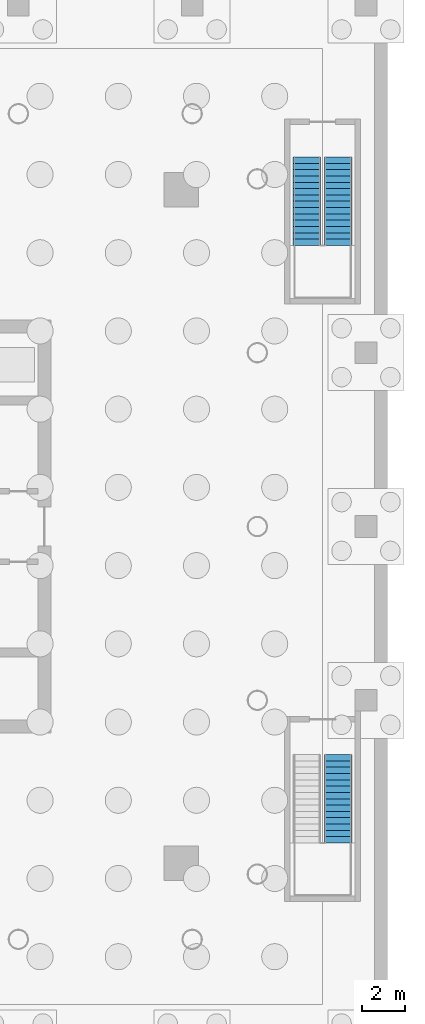
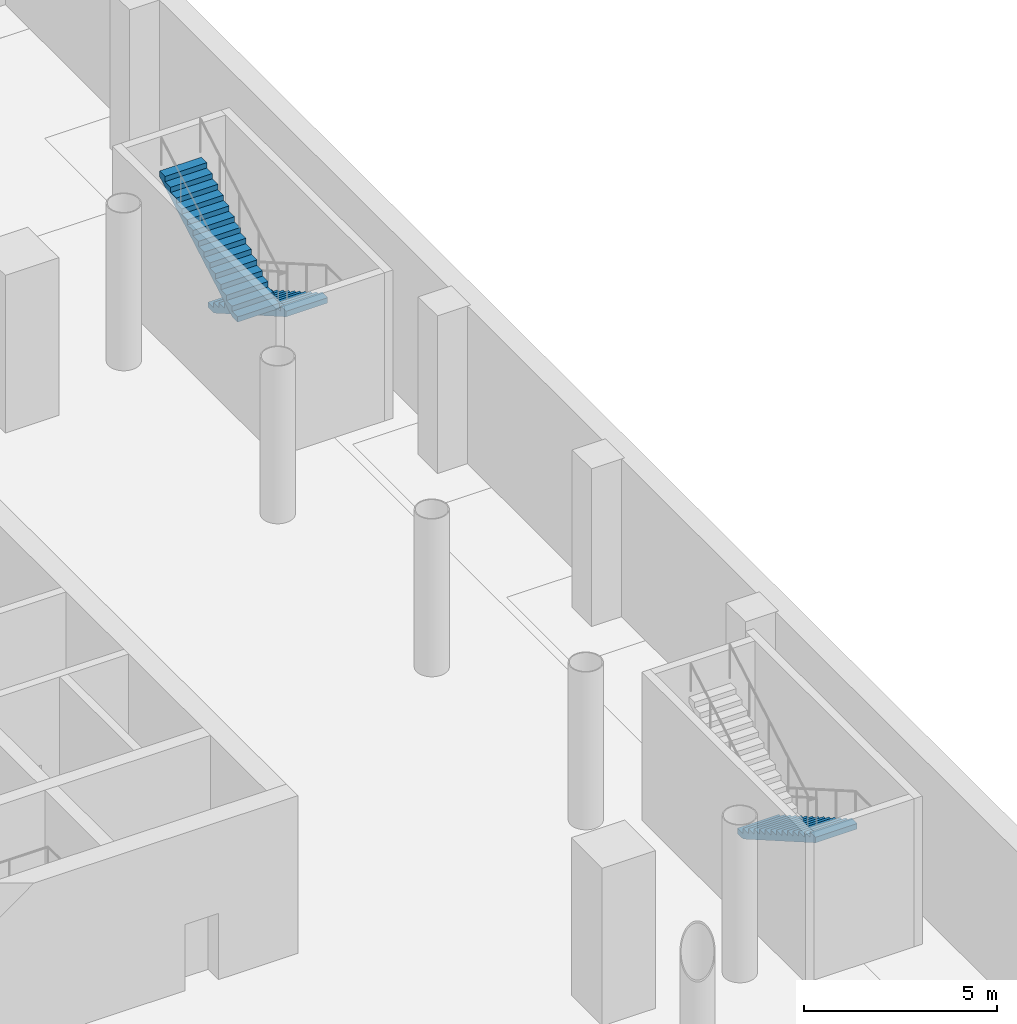
# One storey, part 20 of 24: 3 stair flights, 2 elements without a shape of their own.
"""IFC4 building model written with IfcOpenShell, lengths in metres."""

from ifc_helpers import new_model, si_unit, direction, frame, origin, place, context, subcontext, project, spatial, polyline, outline, extrude, material, type_object, element, aggregate, save


model = new_model("IFC4")

# Units and contexts
model_context = context("Model", 3, precision=1e-05, world=origin(), true_north=direction((0.0, 1.0)))
body_context = subcontext(model_context, "Body", "Model", "MODEL_VIEW")
ifc_project = project(units=[si_unit("LENGTHUNIT", "METRE"), si_unit("AREAUNIT", "SQUARE_METRE"), si_unit("VOLUMEUNIT", "CUBIC_METRE"), si_unit("PLANEANGLEUNIT", "RADIAN"), si_unit("MASSUNIT", "GRAM", prefix="KILO")], contexts=[model_context])

# Site, building, storey
site_placement = place(None, origin())
site = spatial("IfcSite", under=ifc_project, at=site_placement, CompositionType="ELEMENT")
building_placement = place(site_placement, origin())
building = spatial("IfcBuilding", under=site, at=building_placement, Name="Ostroluk Exchange", CompositionType="ELEMENT")
storey_placement = place(building_placement, frame((0.0, 0.0, -10.0)))
storey = spatial("IfcBuildingStorey", under=building, at=storey_placement, Name="B2", CompositionType="ELEMENT", Elevation=-10.0)

# Stair, stair flight
ifc_material_1 = material(Name="Concrete C30/37", Category="concrete")
stair_type = type_object("IfcStairType", Name="Exit stair half turn 5000", PredefinedType="HALF_TURN_STAIR", material=ifc_material_1)
stair_1_placement = place(storey_placement, origin())
stair_1 = element("IfcStair", 1, at=stair_1_placement, inside=storey, type_object=stair_type, Name="Stair PS7 B2", PredefinedType="HALF_TURN_STAIR")
ifc_material_2 = material(Name="Concrete C30/37", Category="concrete")
stair_flight_type = type_object("IfcStairFlightType", Name="Stair flight 15 risers 166.7 x 290", PredefinedType="STRAIGHT", material=ifc_material_2)
stair_flight_1_placement = place(storey_placement, frame((139.72509765625, 35.5, 0.0), z_axis=(0.0, 0.0, 1.0), x_axis=(0.0, -1.0, 0.0)))
stair_flight_1 = element("IfcStairFlight", 2, at=stair_flight_1_placement, type_object=stair_flight_type, Name="PS7 flight 1", NumberOfRisers=15, NumberOfTreads=14, PredefinedType="STRAIGHT", RiserHeight=0.166666667, TreadLength=0.29, context=body_context, shape_type="SweptSolid", body=[
    extrude(outline(polyline([(0.0, 0.0), (0.0, 0.166748046875), (0.2900390625, 0.166748046875), (0.2900390625, 0.333251953125), (0.580078125, 0.333251953125), (0.580078125, 0.5), (0.8701171875, 0.5), (0.8701171875, 0.666748046875), (1.159912109375, 0.666748046875), (1.159912109375, 0.833251953125), (1.449951171875, 0.833251953125), (1.449951171875, 1.0), (1.739990234375, 1.0), (1.739990234375, 1.166748046875), (2.030029296875, 1.166748046875), (2.030029296875, 1.333251953125), (2.320068359375, 1.333251953125), (2.320068359375, 1.5), (2.610107421875, 1.5), (2.610107421875, 1.666748046875), (2.89990234375, 1.666748046875), (2.89990234375, 1.833251953125), (3.18994140625, 1.833251953125), (3.18994140625, 2.0), (3.47998046875, 2.0), (3.47998046875, 2.166748046875), (3.77001953125, 2.166748046875), (3.77001953125, 2.333251953125), (4.06005859375, 2.333251953125), (4.06005859375, 2.5), (4.06005859375, 2.160400390625), (0.30078125, 0.0), (0.0, 0.0)])), frame((0.0, 0.625, 0.0), z_axis=(0.0, -1.0, 0.0), x_axis=(1.0, 0.0, 0.0)), (0.0, 0.0, 1.0), 1.25),
])
aggregate(stair_1, [stair_flight_1])

# Stair, stair flights
stair_2_placement = place(storey_placement, origin())
stair_2 = element("IfcStair", 3, at=stair_2_placement, inside=storey, type_object=stair_type, Name="Stair PS8 B2", PredefinedType="HALF_TURN_STAIR")
stair_flight_2_placement = place(storey_placement, frame((139.72509765625, 63.0, 0.0), z_axis=(0.0, 0.0, 1.0), x_axis=(0.0, -1.0, 0.0)))
stair_flight_2 = element("IfcStairFlight", 4, at=stair_flight_2_placement, type_object=stair_flight_type, Name="PS8 flight 1", NumberOfRisers=15, NumberOfTreads=14, PredefinedType="STRAIGHT", RiserHeight=0.166666667, TreadLength=0.29, context=body_context, shape_type="SweptSolid", body=[
    extrude(outline(polyline([(0.0, 0.0), (0.0, 0.166748046875), (0.2900390625, 0.166748046875), (0.2900390625, 0.333251953125), (0.580078125, 0.333251953125), (0.580078125, 0.5), (0.8701171875, 0.5), (0.8701171875, 0.666748046875), (1.159912109375, 0.666748046875), (1.159912109375, 0.833251953125), (1.449951171875, 0.833251953125), (1.449951171875, 1.0), (1.739990234375, 1.0), (1.739990234375, 1.166748046875), (2.030029296875, 1.166748046875), (2.030029296875, 1.333251953125), (2.320068359375, 1.333251953125), (2.320068359375, 1.5), (2.610107421875, 1.5), (2.610107421875, 1.666748046875), (2.89990234375, 1.666748046875), (2.89990234375, 1.833251953125), (3.18994140625, 1.833251953125), (3.18994140625, 2.0), (3.47998046875, 2.0), (3.47998046875, 2.166748046875), (3.77001953125, 2.166748046875), (3.77001953125, 2.333251953125), (4.06005859375, 2.333251953125), (4.06005859375, 2.5), (4.06005859375, 2.160400390625), (0.30078125, 0.0), (0.0, 0.0)])), frame((0.0, 0.625, 0.0), z_axis=(0.0, -1.0, 0.0), x_axis=(1.0, 0.0, 0.0)), (0.0, 0.0, 1.0), 1.25),
])
stair_flight_3_placement = place(storey_placement, frame((138.27490234375, 58.93994140625, 2.5), z_axis=(0.0, 0.0, 1.0), x_axis=(0.0, 1.0, 0.0)))
stair_flight_3 = element("IfcStairFlight", 5, at=stair_flight_3_placement, type_object=stair_flight_type, Name="PS8 flight 2", NumberOfRisers=15, NumberOfTreads=14, PredefinedType="STRAIGHT", RiserHeight=0.166666667, TreadLength=0.29, context=body_context, shape_type="SweptSolid", body=[
    extrude(outline(polyline([(0.0, 0.0), (0.0, 0.166748046875), (0.2900390625, 0.166748046875), (0.2900390625, 0.333251953125), (0.580078125, 0.333251953125), (0.580078125, 0.5), (0.8701171875, 0.5), (0.8701171875, 0.666748046875), (1.159912109375, 0.666748046875), (1.159912109375, 0.833251953125), (1.449951171875, 0.833251953125), (1.449951171875, 1.0), (1.739990234375, 1.0), (1.739990234375, 1.166748046875), (2.030029296875, 1.166748046875), (2.030029296875, 1.333251953125), (2.320068359375, 1.333251953125), (2.320068359375, 1.5), (2.610107421875, 1.5), (2.610107421875, 1.666748046875), (2.89990234375, 1.666748046875), (2.89990234375, 1.833251953125), (3.18994140625, 1.833251953125), (3.18994140625, 2.0), (3.47998046875, 2.0), (3.47998046875, 2.166748046875), (3.77001953125, 2.166748046875), (3.77001953125, 2.333251953125), (4.06005859375, 2.333251953125), (4.06005859375, 2.5), (4.06005859375, 2.160400390625), (0.30078125, 0.0), (0.0, 0.0)])), frame((0.0, 0.625, 0.0), z_axis=(0.0, -1.0, 0.0), x_axis=(1.0, 0.0, 0.0)), (0.0, 0.0, 1.0), 1.25),
])
aggregate(stair_2, [stair_flight_2, stair_flight_3])

save(model, "model.ifc")
